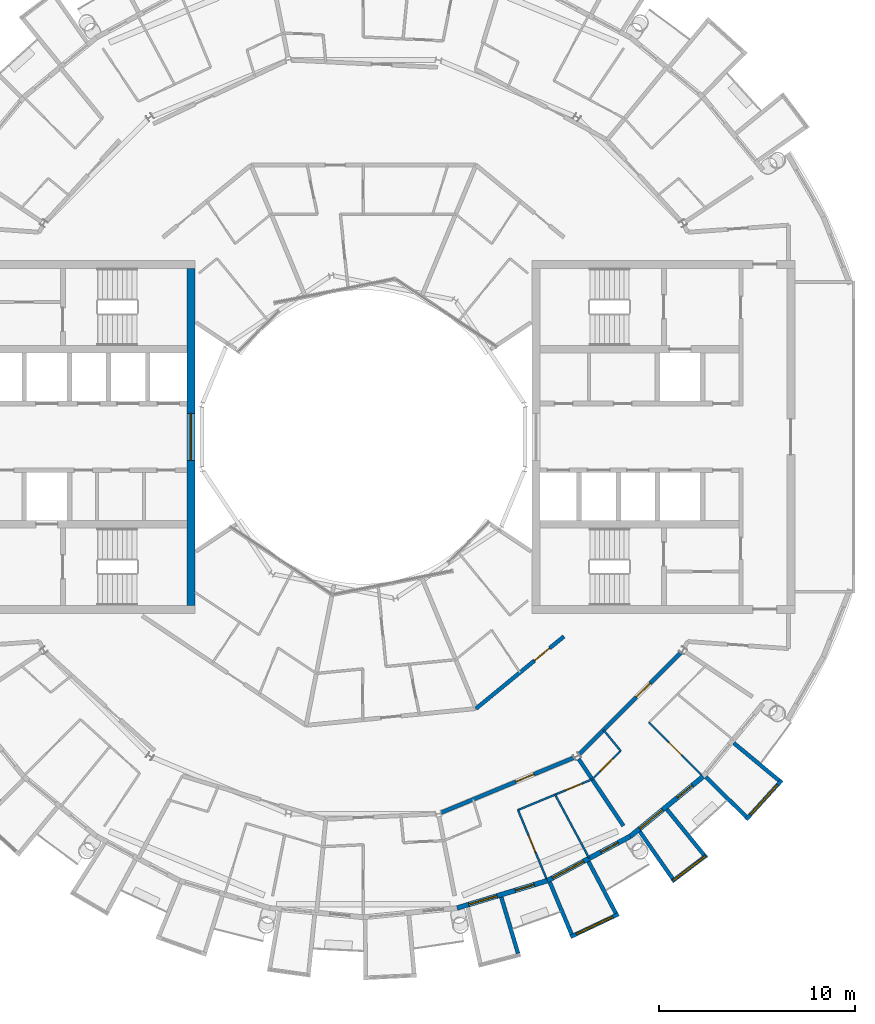
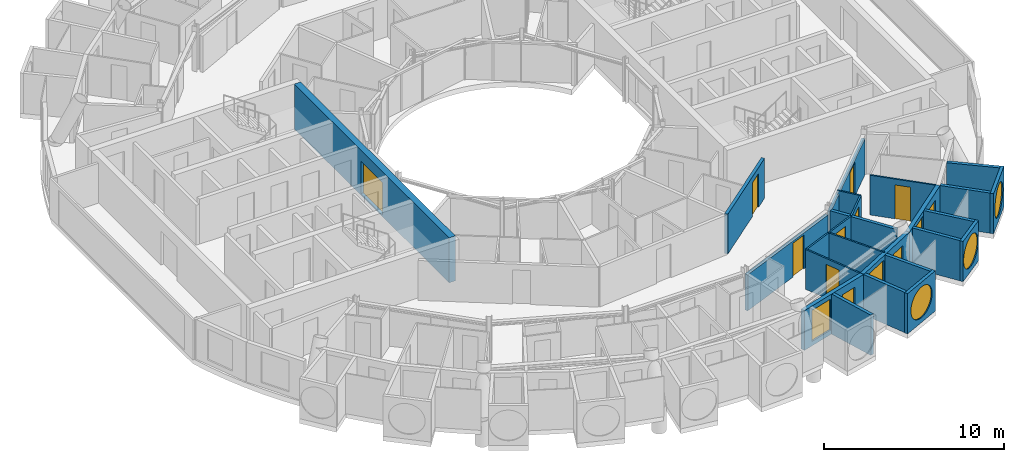
# One storey, part 17 of 27: 24 walls, 10 doors, 7 windows, 17 openings.
"""IFC4 building model written with IfcOpenShell, lengths in metres."""

from ifc_helpers import new_model, si_unit, direction, frame, frame_2d, origin, place, context, subcontext, project, spatial, rectangle, circle, extrude, material, layer, layer_set, type_object, element, fill, save


model = new_model("IFC4")

# Units and contexts
model_context = context("Model", 3, precision=1e-05, world=origin(), true_north=direction((0.0, 1.0)))
body_context = subcontext(model_context, "Body", "Model", "MODEL_VIEW")
ifc_project = project(units=[si_unit("LENGTHUNIT", "METRE"), si_unit("AREAUNIT", "SQUARE_METRE"), si_unit("VOLUMEUNIT", "CUBIC_METRE"), si_unit("PLANEANGLEUNIT", "RADIAN"), si_unit("MASSUNIT", "GRAM", prefix="KILO")], contexts=[model_context])

# Site, building, storey
site_placement = place(None, origin())
site = spatial("IfcSite", under=ifc_project, at=site_placement, CompositionType="ELEMENT")
building_placement = place(site_placement, origin())
building = spatial("IfcBuilding", under=site, at=building_placement, Name="Maasbend Ring Residences", CompositionType="ELEMENT")
storey_placement = place(building_placement, frame((0.0, 0.0, 243.199951171875)))
storey = spatial("IfcBuildingStorey", under=building, at=storey_placement, Name="L70", CompositionType="ELEMENT", Elevation=243.199951171875)

# Wall, opening, window
ifc_material_1 = material(Name="Concrete C50/60", Category="concrete")
ifc_layer_1 = layer(ifc_material_1, 0.39990234375)
ifc_layer_set_1 = layer_set([ifc_layer_1], Name="Concrete C50/60")
wall_type_1 = type_object("IfcWallType", Name="CORE WALL 400 C50/60", PredefinedType="SHEAR", material=ifc_layer_set_1)
wall_1_placement = place(storey_placement, frame((-8.800048828125, 8.60009765625, 0.0), z_axis=(0.0, 0.0, 1.0), x_axis=(0.0, -1.0, 0.0)))
wall_1 = element("IfcWall", 1, at=wall_1_placement, inside=storey, type_object=wall_type_1, Name="L70 core W wall PIN", PredefinedType="SHEAR", context=body_context, shape_type="SweptSolid", body=[
    extrude(rectangle(XDim=17.2001953125, YDim=0.39990234375, at=frame_2d((8.60009765625, 0.0))), origin(), (0.0, 0.0, 1.0), 3.050048828125),
])
opening_1_placement = place(wall_1_placement, frame((7.39990234375, 0.0, 0.10009765625)))
opening_1 = element("IfcOpeningElement", 2, at=opening_1_placement, cuts=wall_1, Name="Opening W-W7001", PredefinedType="OPENING", context=body_context, shape_type="SweptSolid", body=[
    extrude(rectangle(XDim=2.39990234375, YDim=2.199951171875, at=frame_2d((1.199951171875, 1.10009765625))), frame((0.0, 0.2099609375, 0.0), z_axis=(0.0, -1.0, 0.0), x_axis=(1.0, 0.0, 0.0)), (0.0, 0.0, 1.0), 0.419921875),
])
ifc_material_2 = material(Name="Aluminium frame and clear glass", Category="aluminium")
window_type_1 = type_object("IfcWindowType", Name="FIXED WINDOW 2400 X 2200", PartitioningType="SINGLE_PANEL", PredefinedType="WINDOW", material=ifc_material_2)
window_1_placement = place(opening_1_placement, origin())
window_1 = element("IfcWindow", 3, at=window_1_placement, inside=storey, type_object=window_type_1, Name="Lobby window L70", OverallHeight=2.199951171875, OverallWidth=2.39990234375, PartitioningType="SINGLE_PANEL", PredefinedType="WINDOW", context=body_context, shape_type="SweptSolid", body=[
    extrude(rectangle(XDim=2.39990234375, YDim=2.199951171875, at=frame_2d((1.199951171875, 1.10009765625))), frame((0.0, 0.030029296875, 0.0), z_axis=(0.0, -1.0, 0.0), x_axis=(1.0, 0.0, 0.0)), (0.0, 0.0, 1.0), 0.06005859375),
])
fill(opening_1, window_1)

# Wall, opening, door
ifc_material_3 = material(Name="Concrete C30/37", Category="concrete")
ifc_layer_2 = layer(ifc_material_3, 0.199951171875)
ifc_layer_set_2 = layer_set([ifc_layer_2], Name="Concrete C30/37")
wall_type_2 = type_object("IfcWallType", Name="CORRIDOR WALL 200 CONCRETE", PredefinedType="PARTITIONING", material=ifc_layer_set_2)
wall_2_placement = place(storey_placement, frame((3.965087890625, -19.1650390625, 0.0), z_axis=(0.0, 0.0, 1.0), x_axis=(0.923857139404, 0.382737489635, 0.0)))
wall_2 = element("IfcWall", 4, at=wall_2_placement, inside=storey, type_object=wall_type_2, Name="U-L70-w017", PredefinedType="PARTITIONING", context=body_context, shape_type="SweptSolid", body=[
    extrude(rectangle(XDim=7.342041015625, YDim=0.199951171875, at=frame_2d((3.6708984375, 0.0))), origin(), (0.0, 0.0, 1.0), 2.449951171875),
])
opening_2_placement = place(wall_2_placement, frame((4.1259765625, 0.0, 0.0)))
opening_2 = element("IfcOpeningElement", 5, at=opening_2_placement, cuts=wall_2, Name="Opening D-7044", PredefinedType="OPENING", context=body_context, shape_type="SweptSolid", body=[
    extrude(rectangle(XDim=1.0, YDim=2.300048828125, at=frame_2d((0.5, 1.14990234375))), frame((0.0, 0.10986328125, 0.0), z_axis=(0.0, -1.0, 0.0), x_axis=(1.0, 0.0, 0.0)), (0.0, 0.0, 1.0), 0.219970703125),
])
ifc_material_4 = material(Name="Timber, fire-rated, painted", Category="wood")
door_type_1 = type_object("IfcDoorType", Name="FLAT ENTRANCE DOOR 1000 X 2300 FIRE-RATED", OperationType="NOTDEFINED", PredefinedType="DOOR", material=ifc_material_4)
door_1_placement = place(opening_2_placement, origin())
door_1 = element("IfcDoor", 6, at=door_1_placement, inside=storey, type_object=door_type_1, Name="D-7044", OperationType="SINGLE_SWING_RIGHT", OverallHeight=2.300048828125, OverallWidth=1.0, PredefinedType="DOOR", context=body_context, shape_type="SweptSolid", body=[
    extrude(rectangle(XDim=1.0, YDim=2.300048828125, at=frame_2d((0.5, 1.14990234375))), frame((0.0, 0.02490234375, 0.0), z_axis=(0.0, -1.0, 0.0), x_axis=(1.0, 0.0, 0.0)), (0.0, 0.0, 1.0), 0.050048828125),
])
fill(opening_2, door_1)

wall_3_placement = place(storey_placement, frame((10.9970703125, -16.18896484375, 0.0), z_axis=(0.0, 0.0, 1.0), x_axis=(0.707106781187, 0.707106781187, 0.0)))
wall_3 = element("IfcWall", 7, at=wall_3_placement, inside=storey, type_object=wall_type_2, Name="U-L70-w018", PredefinedType="PARTITIONING", context=body_context, shape_type="SweptSolid", body=[
    extrude(rectangle(XDim=7.342529296875, YDim=0.199951171875, at=frame_2d((3.67138671875, 0.0))), origin(), (0.0, 0.0, 1.0), 2.449951171875),
])
opening_3_placement = place(wall_3_placement, frame((4.126953125, 0.0, 0.0)))
opening_3 = element("IfcOpeningElement", 8, at=opening_3_placement, cuts=wall_3, Name="Opening D-7048", PredefinedType="OPENING", context=body_context, shape_type="SweptSolid", body=[
    extrude(rectangle(XDim=1.0, YDim=2.300048828125, at=frame_2d((0.5, 1.14990234375))), frame((0.0, 0.10986328125, 0.0), z_axis=(0.0, -1.0, 0.0), x_axis=(1.0, 0.0, 0.0)), (0.0, 0.0, 1.0), 0.219970703125),
])
door_2_placement = place(opening_3_placement, origin())
door_2 = element("IfcDoor", 9, at=door_2_placement, inside=storey, type_object=door_type_1, Name="D-7048", OperationType="SINGLE_SWING_RIGHT", OverallHeight=2.300048828125, OverallWidth=1.0, PredefinedType="DOOR", context=body_context, shape_type="SweptSolid", body=[
    extrude(rectangle(XDim=1.0, YDim=2.300048828125, at=frame_2d((0.5, 1.14990234375))), frame((0.0, 0.02490234375, 0.0), z_axis=(0.0, -1.0, 0.0), x_axis=(1.0, 0.0, 0.0)), (0.0, 0.0, 1.0), 0.050048828125),
])
fill(opening_3, door_2)

wall_4_placement = place(storey_placement, frame((5.739990234375, -13.85791015625, 0.0), z_axis=(0.0, 0.0, 1.0), x_axis=(0.773071783484, 0.634318545828, 0.0)))
wall_4 = element("IfcWall", 10, at=wall_4_placement, inside=storey, type_object=wall_type_2, Name="U-L70-w021", PredefinedType="PARTITIONING", context=body_context, shape_type="SweptSolid", body=[
    extrude(rectangle(XDim=5.802978515625, YDim=0.199951171875, at=frame_2d((2.9013671875, 0.0))), origin(), (0.0, 0.0, 1.0), 2.699951171875),
])
opening_4_placement = place(wall_4_placement, frame((3.85400390625, 0.0, 0.0)))
opening_4 = element("IfcOpeningElement", 11, at=opening_4_placement, cuts=wall_4, Name="Opening D-7060", PredefinedType="OPENING", context=body_context, shape_type="SweptSolid", body=[
    extrude(rectangle(XDim=1.0, YDim=2.300048828125, at=frame_2d((0.5, 1.14990234375))), frame((0.0, 0.10986328125, 0.0), z_axis=(0.0, -1.0, 0.0), x_axis=(1.0, 0.0, 0.0)), (0.0, 0.0, 1.0), 0.219970703125),
])
door_3_placement = place(opening_4_placement, origin())
door_3 = element("IfcDoor", 12, at=door_3_placement, inside=storey, type_object=door_type_1, Name="D-7060", OperationType="SINGLE_SWING_RIGHT", OverallHeight=2.300048828125, OverallWidth=1.0, PredefinedType="DOOR", context=body_context, shape_type="SweptSolid", body=[
    extrude(rectangle(XDim=1.0, YDim=2.300048828125, at=frame_2d((0.5, 1.14990234375))), frame((0.0, 0.02490234375, 0.0), z_axis=(0.0, -1.0, 0.0), x_axis=(1.0, 0.0, 0.0)), (0.0, 0.0, 1.0), 0.050048828125),
])
fill(opening_4, door_3)

# Wall
ifc_material_5 = material(Name="Pale anodised aluminium panel", Category="aluminium")
ifc_layer_3 = layer(ifc_material_5, 0.199951171875)
ifc_layer_set_3 = layer_set([ifc_layer_3], Name="EW-BOX")
wall_type_3 = type_object("IfcWallType", Name="EW-BOX", PredefinedType="SOLIDWALL", material=ifc_layer_set_3)
wall_5_placement = place(storey_placement, frame((7.029052734375, -23.47705078125, -0.030029296875), z_axis=(0.0, 0.0, 1.0), x_axis=(0.286681681931, -0.958025893828, 0.0)))
element("IfcWall", 13, at=wall_5_placement, inside=storey, type_object=wall_type_3, Name="Box side wall S13 right", PredefinedType="SOLIDWALL", context=body_context, shape_type="SweptSolid", body=[
    extrude(rectangle(XDim=2.992431640625, YDim=0.199951171875, at=frame_2d((1.49609375, 0.0))), origin(), (0.0, 0.0, 1.0), 2.72998046875),
])

# Wall, opening, window
wall_6_placement = place(storey_placement, frame((10.55810546875, -25.5009765625, -0.030029296875), z_axis=(0.0, 0.0, 1.0), x_axis=(0.904004727627, 0.42752245839, 0.0)))
wall_6 = element("IfcWall", 14, at=wall_6_placement, inside=storey, type_object=wall_type_3, Name="Box front S15", PredefinedType="SOLIDWALL", context=body_context, shape_type="SweptSolid", body=[
    extrude(rectangle(XDim=2.7177734375, YDim=0.199951171875, at=frame_2d((1.35888671875, 0.0))), origin(), (0.0, 0.0, 1.0), 2.72998046875),
])
opening_5_placement = place(wall_6_placement, frame((0.319091796875, 0.0, 0.330078125)))
opening_5 = element("IfcOpeningElement", 15, at=opening_5_placement, cuts=wall_6, Name="Opening W-RD", PredefinedType="OPENING", context=body_context, shape_type="SweptSolid", body=[
    extrude(circle(Radius=1.0400390625, at=frame_2d((1.0400390625, 1.0400390625))), frame((0.0, 0.10986328125, 0.0), z_axis=(0.0, -1.0, 0.0), x_axis=(1.0, 0.0, 0.0)), (0.0, 0.0, 1.0), 0.219970703125),
])
ifc_material_6 = material(Name="Aluminium and clear glass", Category="aluminium")
window_type_2 = type_object("IfcWindowType", Name="W-RD", PartitioningType="SINGLE_PANEL", PredefinedType="WINDOW", material=ifc_material_6)
window_2_placement = place(opening_5_placement, origin())
window_2 = element("IfcWindow", 16, at=window_2_placement, inside=storey, type_object=window_type_2, Name="Round window S15", OverallHeight=2.080078125, OverallWidth=2.080078125, PartitioningType="SINGLE_PANEL", PredefinedType="WINDOW", context=body_context, shape_type="SweptSolid", body=[
    extrude(circle(Radius=1.0400390625, at=frame_2d((1.0400390625, 1.0400390625))), frame((0.0, 0.030029296875, 0.0), z_axis=(0.0, -1.0, 0.0), x_axis=(1.0, 0.0, 0.0)), (0.0, 0.0, 1.0), 0.06005859375),
])
fill(opening_5, window_2)

# Walls
wall_7_placement = place(storey_placement, frame((9.5029296875, -22.708984375, -0.030029296875), z_axis=(0.0, 0.0, 1.0), x_axis=(0.386136412103, -0.922441689891, 0.0)))
element("IfcWall", 17, at=wall_7_placement, inside=storey, type_object=wall_type_3, Name="Box side wall S15 left", PredefinedType="SOLIDWALL", context=body_context, shape_type="SweptSolid", body=[
    extrude(rectangle(XDim=2.882568359375, YDim=0.199951171875, at=frame_2d((1.44140625, 0.0))), origin(), (0.0, 0.0, 1.0), 2.72998046875),
])
wall_8_placement = place(storey_placement, frame((11.47509765625, -21.655029296875, -0.030029296875), z_axis=(0.0, 0.0, 1.0), x_axis=(0.467917715158, -0.883772036128, 0.0)))
element("IfcWall", 18, at=wall_8_placement, inside=storey, type_object=wall_type_3, Name="Box side wall S15 right", PredefinedType="SOLIDWALL", context=body_context, shape_type="SweptSolid", body=[
    extrude(rectangle(XDim=2.99169921875, YDim=0.199951171875, at=frame_2d((1.495849609375, 0.0))), origin(), (0.0, 0.0, 1.0), 2.72998046875),
])

# Wall, opening, window
wall_9_placement = place(storey_placement, frame((15.739990234375, -22.672119140625, -0.030029296875), z_axis=(0.0, 0.0, 1.0), x_axis=(0.797805050803, 0.602915500641, 0.0)))
wall_9 = element("IfcWall", 19, at=wall_9_placement, inside=storey, type_object=wall_type_3, Name="Box front S17", PredefinedType="SOLIDWALL", context=body_context, shape_type="SweptSolid", body=[
    extrude(rectangle(XDim=2.220947265625, YDim=0.199951171875, at=frame_2d((1.1103515625, 0.0))), origin(), (0.0, 0.0, 1.0), 2.72998046875),
])
opening_6_placement = place(wall_9_placement, frame((0.070556640625, 0.0, 0.330078125)))
opening_6 = element("IfcOpeningElement", 20, at=opening_6_placement, cuts=wall_9, Name="Opening W-RD", PredefinedType="OPENING", context=body_context, shape_type="SweptSolid", body=[
    extrude(circle(Radius=1.0400390625, at=frame_2d((1.0400390625, 1.0400390625))), frame((0.0, 0.10986328125, 0.0), z_axis=(0.0, -1.0, 0.0), x_axis=(1.0, 0.0, 0.0)), (0.0, 0.0, 1.0), 0.219970703125),
])
window_3_placement = place(opening_6_placement, origin())
window_3 = element("IfcWindow", 21, at=window_3_placement, inside=storey, type_object=window_type_2, Name="Round window S17", OverallHeight=2.080078125, OverallWidth=2.080078125, PartitioningType="SINGLE_PANEL", PredefinedType="WINDOW", context=body_context, shape_type="SweptSolid", body=[
    extrude(circle(Radius=1.0400390625, at=frame_2d((1.0400390625, 1.0400390625))), frame((0.0, 0.030029296875, 0.0), z_axis=(0.0, -1.0, 0.0), x_axis=(1.0, 0.0, 0.0)), (0.0, 0.0, 1.0), 0.06005859375),
])
fill(opening_6, window_3)

# Walls
wall_10_placement = place(storey_placement, frame((14.093017578125, -20.137939453125, -0.030029296875), z_axis=(0.0, 0.0, 1.0), x_axis=(0.573596998419, -0.81913764619, 0.0)))
element("IfcWall", 22, at=wall_10_placement, inside=storey, type_object=wall_type_3, Name="Box side wall S17 left", PredefinedType="SOLIDWALL", context=body_context, shape_type="SweptSolid", body=[
    extrude(rectangle(XDim=2.920166015625, YDim=0.199951171875, at=frame_2d((1.4599609375, 0.0))), origin(), (0.0, 0.0, 1.0), 2.72998046875),
])
wall_11_placement = place(storey_placement, frame((15.47900390625, -19.0, -0.030029296875), z_axis=(0.0, 0.0, 1.0), x_axis=(0.631209771017, -0.775612161439, 0.0)))
element("IfcWall", 23, at=wall_11_placement, inside=storey, type_object=wall_type_3, Name="Box side wall S17 right", PredefinedType="SOLIDWALL", context=body_context, shape_type="SweptSolid", body=[
    extrude(rectangle(XDim=2.992431640625, YDim=0.199951171875, at=frame_2d((1.49609375, 0.0))), origin(), (0.0, 0.0, 1.0), 2.72998046875),
])

# Wall, opening, window
wall_12_placement = place(storey_placement, frame((19.512939453125, -19.52001953125, -0.030029296875), z_axis=(0.0, 0.0, 1.0), x_axis=(0.671487056022, 0.741016284298, 0.0)))
wall_12 = element("IfcWall", 24, at=wall_12_placement, inside=storey, type_object=wall_type_3, Name="Box front S19", PredefinedType="SOLIDWALL", context=body_context, shape_type="SweptSolid", body=[
    extrude(rectangle(XDim=2.7177734375, YDim=0.199951171875, at=frame_2d((1.35888671875, 0.0))), origin(), (0.0, 0.0, 1.0), 2.72998046875),
])
opening_7_placement = place(wall_12_placement, frame((0.319091796875, 0.0, 0.330078125)))
opening_7 = element("IfcOpeningElement", 25, at=opening_7_placement, cuts=wall_12, Name="Opening W-RD", PredefinedType="OPENING", context=body_context, shape_type="SweptSolid", body=[
    extrude(circle(Radius=1.0400390625, at=frame_2d((1.0400390625, 1.0400390625))), frame((0.0, 0.10986328125, 0.0), z_axis=(0.0, -1.0, 0.0), x_axis=(1.0, 0.0, 0.0)), (0.0, 0.0, 1.0), 0.219970703125),
])
window_4_placement = place(opening_7_placement, origin())
window_4 = element("IfcWindow", 26, at=window_4_placement, inside=storey, type_object=window_type_2, Name="Round window S19", OverallHeight=2.080078125, OverallWidth=2.080078125, PartitioningType="SINGLE_PANEL", PredefinedType="WINDOW", context=body_context, shape_type="SweptSolid", body=[
    extrude(circle(Radius=1.0400390625, at=frame_2d((1.0400390625, 1.0400390625))), frame((0.0, 0.030029296875, 0.0), z_axis=(0.0, -1.0, 0.0), x_axis=(1.0, 0.0, 0.0)), (0.0, 0.0, 1.0), 0.06005859375),
])
fill(opening_7, window_4)

# Walls
wall_13_placement = place(storey_placement, frame((17.469970703125, -17.343994140625, -0.030029296875), z_axis=(0.0, 0.0, 1.0), x_axis=(0.709896457854, -0.704306055012, 0.0)))
element("IfcWall", 27, at=wall_13_placement, inside=storey, type_object=wall_type_3, Name="Box side wall S19 left", PredefinedType="SOLIDWALL", context=body_context, shape_type="SweptSolid", body=[
    extrude(rectangle(XDim=2.88232421875, YDim=0.199951171875, at=frame_2d((1.441162109375, 0.0))), origin(), (0.0, 0.0, 1.0), 2.72998046875),
])
wall_14_placement = place(storey_placement, frame((18.887939453125, -15.614990234375, -0.030029296875), z_axis=(0.0, 0.0, 1.0), x_axis=(0.770489638069, -0.637452521862, 0.0)))
element("IfcWall", 28, at=wall_14_placement, inside=storey, type_object=wall_type_3, Name="Box side wall S19 right", PredefinedType="SOLIDWALL", context=body_context, shape_type="SweptSolid", body=[
    extrude(rectangle(XDim=2.9931640625, YDim=0.199951171875, at=frame_2d((1.49658203125, 0.0))), origin(), (0.0, 0.0, 1.0), 2.72998046875),
])

# Wall, openings, door, window
ifc_material_7 = material(Name="Aluminium clad insulated panel", Category="aluminium")
ifc_layer_4 = layer(ifc_material_7, 0.25)
ifc_layer_set_4 = layer_set([ifc_layer_4], Name="EW-GL")
wall_type_4 = type_object("IfcWallType", Name="EW-GL", PredefinedType="SOLIDWALL", material=ifc_layer_set_4)
wall_15_placement = place(storey_placement, frame((4.780029296875, -24.029052734375, 0.0), z_axis=(0.0, 0.0, 1.0), x_axis=(0.956947414517, 0.290261340605, 0.0)))
wall_15 = element("IfcWall", 29, at=wall_15_placement, inside=storey, type_object=wall_type_4, Name="External wall S07", PredefinedType="SOLIDWALL", context=body_context, shape_type="SweptSolid", body=[
    extrude(rectangle(XDim=4.802734375, YDim=0.25, at=frame_2d((2.4013671875, 0.0))), origin(), (0.0, 0.0, 1.0), 2.699951171875),
])
opening_8_placement = place(wall_15_placement, frame((0.6201171875, 0.0, 0.300048828125)))
opening_8 = element("IfcOpeningElement", 30, at=opening_8_placement, cuts=wall_15, Name="Opening W-BN", PredefinedType="OPENING", context=body_context, shape_type="SweptSolid", body=[
    extrude(rectangle(XDim=1.5, YDim=2.10009765625, at=frame_2d((0.75, 1.050048828125))), frame((0.0, 0.135009765625, 0.0), z_axis=(0.0, -1.0, 0.0), x_axis=(1.0, 0.0, 0.0)), (0.0, 0.0, 1.0), 0.27001953125),
])
opening_9_placement = place(wall_15_placement, frame((3.09912109375, 0.0, 0.0)))
opening_9 = element("IfcOpeningElement", 31, at=opening_9_placement, cuts=wall_15, Name="Opening D-LG", PredefinedType="OPENING", context=body_context, shape_type="SweptSolid", body=[
    extrude(rectangle(XDim=1.0, YDim=2.199951171875, at=frame_2d((0.5, 1.10009765625))), frame((0.0, 0.135009765625, 0.0), z_axis=(0.0, -1.0, 0.0), x_axis=(1.0, 0.0, 0.0)), (0.0, 0.0, 1.0), 0.27001953125),
])
ifc_material_8 = material(Name="Aluminium and clear glass", Category="aluminium")
door_type_2 = type_object("IfcDoorType", Name="D-LG", OperationType="SINGLE_SWING_LEFT", PredefinedType="DOOR", material=ifc_material_8)
door_4_placement = place(opening_9_placement, origin())
door_4 = element("IfcDoor", 32, at=door_4_placement, inside=storey, type_object=door_type_2, Name="Loggia door S14", OperationType="SINGLE_SWING_LEFT", OverallHeight=2.199951171875, OverallWidth=1.0, PredefinedType="DOOR", context=body_context, shape_type="SweptSolid", body=[
    extrude(rectangle(XDim=1.0, YDim=2.199951171875, at=frame_2d((0.5, 1.10009765625))), frame((0.0, 0.02490234375, 0.0), z_axis=(0.0, -1.0, 0.0), x_axis=(1.0, 0.0, 0.0)), (0.0, 0.0, 1.0), 0.050048828125),
])
fill(opening_9, door_4)
ifc_material_9 = material(Name="Aluminium and clear glass", Category="aluminium")
window_type_3 = type_object("IfcWindowType", Name="W-BN", PartitioningType="SINGLE_PANEL", PredefinedType="WINDOW", material=ifc_material_9)
window_5_placement = place(opening_8_placement, origin())
window_5 = element("IfcWindow", 33, at=window_5_placement, inside=storey, type_object=window_type_3, Name="Window S13 room to box", OverallHeight=2.10009765625, OverallWidth=1.5, PartitioningType="SINGLE_PANEL", PredefinedType="WINDOW", context=body_context, shape_type="SweptSolid", body=[
    extrude(rectangle(XDim=1.5, YDim=2.10009765625, at=frame_2d((0.75, 1.050048828125))), frame((0.0, 0.030029296875, 0.0), z_axis=(0.0, -1.0, 0.0), x_axis=(1.0, 0.0, 0.0)), (0.0, 0.0, 1.0), 0.06005859375),
])
fill(opening_8, window_5)

wall_16_placement = place(storey_placement, frame((9.3759765625, -22.635009765625, 0.0), z_axis=(0.0, 0.0, 1.0), x_axis=(0.881903608701, 0.471429766731, 0.0)))
wall_16 = element("IfcWall", 34, at=wall_16_placement, inside=storey, type_object=wall_type_4, Name="External wall S08", PredefinedType="SOLIDWALL", context=body_context, shape_type="SweptSolid", body=[
    extrude(rectangle(XDim=4.80224609375, YDim=0.25, at=frame_2d((2.401123046875, 0.0))), origin(), (0.0, 0.0, 1.0), 2.699951171875),
])
opening_10_placement = place(wall_16_placement, frame((0.3037109375, 0.0, 0.300048828125)))
opening_10 = element("IfcOpeningElement", 35, at=opening_10_placement, cuts=wall_16, Name="Opening W-BX", PredefinedType="OPENING", context=body_context, shape_type="SweptSolid", body=[
    extrude(rectangle(XDim=1.800048828125, YDim=2.10009765625, at=frame_2d((0.89990234375, 1.050048828125))), frame((0.0, 0.135009765625, 0.0), z_axis=(0.0, -1.0, 0.0), x_axis=(1.0, 0.0, 0.0)), (0.0, 0.0, 1.0), 0.27001953125),
])
opening_11_placement = place(wall_16_placement, frame((3.09912109375, 0.0, 0.0)))
opening_11 = element("IfcOpeningElement", 36, at=opening_11_placement, cuts=wall_16, Name="Opening D-LG", PredefinedType="OPENING", context=body_context, shape_type="SweptSolid", body=[
    extrude(rectangle(XDim=1.0, YDim=2.199951171875, at=frame_2d((0.5, 1.10009765625))), frame((0.0, 0.135009765625, 0.0), z_axis=(0.0, -1.0, 0.0), x_axis=(1.0, 0.0, 0.0)), (0.0, 0.0, 1.0), 0.27001953125),
])
door_5_placement = place(opening_11_placement, origin())
door_5 = element("IfcDoor", 37, at=door_5_placement, inside=storey, type_object=door_type_2, Name="Loggia door S16", OperationType="SINGLE_SWING_LEFT", OverallHeight=2.199951171875, OverallWidth=1.0, PredefinedType="DOOR", context=body_context, shape_type="SweptSolid", body=[
    extrude(rectangle(XDim=1.0, YDim=2.199951171875, at=frame_2d((0.5, 1.10009765625))), frame((0.0, 0.02490234375, 0.0), z_axis=(0.0, -1.0, 0.0), x_axis=(1.0, 0.0, 0.0)), (0.0, 0.0, 1.0), 0.050048828125),
])
fill(opening_11, door_5)
ifc_material_10 = material(Name="Aluminium and clear glass", Category="aluminium")
window_type_4 = type_object("IfcWindowType", Name="W-BX", PartitioningType="DOUBLE_PANEL_VERTICAL", PredefinedType="WINDOW", material=ifc_material_10)
window_6_placement = place(opening_10_placement, origin())
window_6 = element("IfcWindow", 38, at=window_6_placement, inside=storey, type_object=window_type_4, Name="Window S15 room to box", OverallHeight=2.10009765625, OverallWidth=1.800048828125, PartitioningType="SINGLE_PANEL", PredefinedType="WINDOW", context=body_context, shape_type="SweptSolid", body=[
    extrude(rectangle(XDim=1.800048828125, YDim=2.10009765625, at=frame_2d((0.89990234375, 1.050048828125))), frame((0.0, 0.030029296875, 0.0), z_axis=(0.0, -1.0, 0.0), x_axis=(1.0, 0.0, 0.0)), (0.0, 0.0, 1.0), 0.06005859375),
])
fill(opening_10, window_6)

wall_17_placement = place(storey_placement, frame((13.611083984375, -20.37109375, 0.0), z_axis=(0.0, 0.0, 1.0), x_axis=(0.773007538262, 0.634396836208, 0.0)))
wall_17 = element("IfcWall", 39, at=wall_17_placement, inside=storey, type_object=wall_type_4, Name="External wall S09", PredefinedType="SOLIDWALL", context=body_context, shape_type="SweptSolid", body=[
    extrude(rectangle(XDim=4.80322265625, YDim=0.25, at=frame_2d((2.401611328125, 0.0))), origin(), (0.0, 0.0, 1.0), 2.699951171875),
])
opening_12_placement = place(wall_17_placement, frame((0.6201171875, 0.0, 0.300048828125)))
opening_12 = element("IfcOpeningElement", 40, at=opening_12_placement, cuts=wall_17, Name="Opening W-BN", PredefinedType="OPENING", context=body_context, shape_type="SweptSolid", body=[
    extrude(rectangle(XDim=1.5, YDim=2.10009765625, at=frame_2d((0.75, 1.050048828125))), frame((0.0, 0.135009765625, 0.0), z_axis=(0.0, -1.0, 0.0), x_axis=(1.0, 0.0, 0.0)), (0.0, 0.0, 1.0), 0.27001953125),
])
opening_13_placement = place(wall_17_placement, frame((3.09912109375, 0.0, 0.0)))
opening_13 = element("IfcOpeningElement", 41, at=opening_13_placement, cuts=wall_17, Name="Opening D-LG", PredefinedType="OPENING", context=body_context, shape_type="SweptSolid", body=[
    extrude(rectangle(XDim=1.0, YDim=2.199951171875, at=frame_2d((0.5, 1.10009765625))), frame((0.0, 0.135009765625, 0.0), z_axis=(0.0, -1.0, 0.0), x_axis=(1.0, 0.0, 0.0)), (0.0, 0.0, 1.0), 0.27001953125),
])
door_6_placement = place(opening_13_placement, origin())
door_6 = element("IfcDoor", 42, at=door_6_placement, inside=storey, type_object=door_type_2, Name="Loggia door S18", OperationType="SINGLE_SWING_LEFT", OverallHeight=2.199951171875, OverallWidth=1.0, PredefinedType="DOOR", context=body_context, shape_type="SweptSolid", body=[
    extrude(rectangle(XDim=1.0, YDim=2.199951171875, at=frame_2d((0.5, 1.10009765625))), frame((0.0, 0.02490234375, 0.0), z_axis=(0.0, -1.0, 0.0), x_axis=(1.0, 0.0, 0.0)), (0.0, 0.0, 1.0), 0.050048828125),
])
fill(opening_13, door_6)
window_7_placement = place(opening_12_placement, origin())
window_7 = element("IfcWindow", 43, at=window_7_placement, inside=storey, type_object=window_type_3, Name="Window S17 room to box", OverallHeight=2.10009765625, OverallWidth=1.5, PartitioningType="SINGLE_PANEL", PredefinedType="WINDOW", context=body_context, shape_type="SweptSolid", body=[
    extrude(rectangle(XDim=1.5, YDim=2.10009765625, at=frame_2d((0.75, 1.050048828125))), frame((0.0, 0.030029296875, 0.0), z_axis=(0.0, -1.0, 0.0), x_axis=(1.0, 0.0, 0.0)), (0.0, 0.0, 1.0), 0.06005859375),
])
fill(opening_12, window_7)

# Wall, opening, door
ifc_material_11 = material(Name="Gypsum board on steel studs", Category="steel")
ifc_layer_5 = layer(ifc_material_11, 0.10009765625)
ifc_layer_set_5 = layer_set([ifc_layer_5], Name="PARTITION 100 GYPSUM")
wall_type_5 = type_object("IfcWallType", Name="PARTITION 100 GYPSUM", PredefinedType="PARTITIONING", material=ifc_layer_set_5)
wall_18_placement = place(storey_placement, frame((7.8740234375, -19.032958984375, 0.0), z_axis=(0.0, 0.0, 1.0), x_axis=(0.924018283069, 0.382348286976, 0.0)))
wall_18 = element("IfcWall", 44, at=wall_18_placement, inside=storey, type_object=wall_type_5, Name="U-L70-w008", PredefinedType="PARTITIONING", context=body_context, shape_type="SweptSolid", body=[
    extrude(rectangle(XDim=4.1005859375, YDim=0.10009765625, at=frame_2d((2.05029296875, 0.0))), origin(), (0.0, 0.0, 1.0), 2.699951171875),
])
opening_14_placement = place(wall_18_placement, frame((2.632080078125, 0.0, 0.0)))
opening_14 = element("IfcOpeningElement", 45, at=opening_14_placement, cuts=wall_18, Name="Opening D-7047", PredefinedType="OPENING", context=body_context, shape_type="SweptSolid", body=[
    extrude(rectangle(XDim=0.89990234375, YDim=2.300048828125, at=frame_2d((0.449951171875, 1.14990234375))), frame((0.0, 0.06005859375, 0.0), z_axis=(0.0, -1.0, 0.0), x_axis=(1.0, 0.0, 0.0)), (0.0, 0.0, 1.0), 0.1201171875),
])
ifc_material_12 = material(Name="Timber, painted", Category="wood")
door_type_3 = type_object("IfcDoorType", Name="INTERNAL DOOR 900 X 2300", OperationType="NOTDEFINED", PredefinedType="DOOR", material=ifc_material_12)
door_7_placement = place(opening_14_placement, origin())
door_7 = element("IfcDoor", 46, at=door_7_placement, inside=storey, type_object=door_type_3, Name="D-7047", OperationType="SINGLE_SWING_RIGHT", OverallHeight=2.300048828125, OverallWidth=0.89990234375, PredefinedType="DOOR", context=body_context, shape_type="SweptSolid", body=[
    extrude(rectangle(XDim=0.89990234375, YDim=2.300048828125, at=frame_2d((0.449951171875, 1.14990234375))), frame((0.0, 0.02490234375, 0.0), z_axis=(0.0, -1.0, 0.0), x_axis=(1.0, 0.0, 0.0)), (0.0, 0.0, 1.0), 0.050048828125),
])
fill(opening_14, door_7)

wall_19_placement = place(storey_placement, frame((11.662109375, -17.466064453125, 0.0), z_axis=(0.0, 0.0, 1.0), x_axis=(0.707106781187, 0.707106781187, 0.0)))
wall_19 = element("IfcWall", 47, at=wall_19_placement, inside=storey, type_object=wall_type_5, Name="U-L70-w009", PredefinedType="PARTITIONING", context=body_context, shape_type="SweptSolid", body=[
    extrude(rectangle(XDim=2.0478515625, YDim=0.10009765625, at=frame_2d((1.02392578125, 0.0))), origin(), (0.0, 0.0, 1.0), 2.699951171875),
])
opening_15_placement = place(wall_19_placement, frame((0.5810546875, 0.0, 0.0)))
opening_15 = element("IfcOpeningElement", 48, at=opening_15_placement, cuts=wall_19, Name="Opening D-7049", PredefinedType="OPENING", context=body_context, shape_type="SweptSolid", body=[
    extrude(rectangle(XDim=0.89990234375, YDim=2.300048828125, at=frame_2d((0.449951171875, 1.14990234375))), frame((0.0, 0.06005859375, 0.0), z_axis=(0.0, -1.0, 0.0), x_axis=(1.0, 0.0, 0.0)), (0.0, 0.0, 1.0), 0.1201171875),
])
door_8_placement = place(opening_15_placement, origin())
door_8 = element("IfcDoor", 49, at=door_8_placement, inside=storey, type_object=door_type_3, Name="D-7049", OperationType="SINGLE_SWING_RIGHT", OverallHeight=2.300048828125, OverallWidth=0.89990234375, PredefinedType="DOOR", context=body_context, shape_type="SweptSolid", body=[
    extrude(rectangle(XDim=0.89990234375, YDim=2.300048828125, at=frame_2d((0.449951171875, 1.14990234375))), frame((0.0, 0.02490234375, 0.0), z_axis=(0.0, -1.0, 0.0), x_axis=(1.0, 0.0, 0.0)), (0.0, 0.0, 1.0), 0.050048828125),
])
fill(opening_15, door_8)

wall_20_placement = place(storey_placement, frame((7.882080078125, -19.029052734375, 0.0), z_axis=(0.0, 0.0, 1.0), x_axis=(0.382637120452, -0.923898714174, 0.0)))
wall_20 = element("IfcWall", 50, at=wall_20_placement, inside=storey, type_object=wall_type_5, Name="U-L70-w080", PredefinedType="PARTITIONING", context=body_context, shape_type="SweptSolid", body=[
    extrude(rectangle(XDim=3.778564453125, YDim=0.10009765625, at=frame_2d((1.88916015625, 0.0))), origin(), (0.0, 0.0, 1.0), 2.699951171875),
])
opening_16_placement = place(wall_20_placement, frame((1.43896484375, 0.0, 0.0)))
opening_16 = element("IfcOpeningElement", 51, at=opening_16_placement, cuts=wall_20, Name="Opening D-7046", PredefinedType="OPENING", context=body_context, shape_type="SweptSolid", body=[
    extrude(rectangle(XDim=0.89990234375, YDim=2.300048828125, at=frame_2d((0.449951171875, 1.14990234375))), frame((0.0, 0.06005859375, 0.0), z_axis=(0.0, -1.0, 0.0), x_axis=(1.0, 0.0, 0.0)), (0.0, 0.0, 1.0), 0.1201171875),
])
door_9_placement = place(opening_16_placement, origin())
door_9 = element("IfcDoor", 52, at=door_9_placement, inside=storey, type_object=door_type_3, Name="D-7046", OperationType="SINGLE_SWING_RIGHT", OverallHeight=2.300048828125, OverallWidth=0.89990234375, PredefinedType="DOOR", context=body_context, shape_type="SweptSolid", body=[
    extrude(rectangle(XDim=0.89990234375, YDim=2.300048828125, at=frame_2d((0.449951171875, 1.14990234375))), frame((0.0, 0.02490234375, 0.0), z_axis=(0.0, -1.0, 0.0), x_axis=(1.0, 0.0, 0.0)), (0.0, 0.0, 1.0), 0.050048828125),
])
fill(opening_16, door_9)

# Walls
wall_21_placement = place(storey_placement, frame((9.77392578125, -18.2451171875, 0.0), z_axis=(0.0, 0.0, 1.0), x_axis=(0.47239643711, -0.881386184488, 0.0)))
element("IfcWall", 53, at=wall_21_placement, inside=storey, type_object=wall_type_5, Name="U-L70-w082", PredefinedType="PARTITIONING", context=body_context, shape_type="SweptSolid", body=[
    extrude(rectangle(XDim=3.67724609375, YDim=0.10009765625, at=frame_2d((1.838623046875, 0.0))), origin(), (0.0, 0.0, 1.0), 2.699951171875),
])
wall_22_placement = place(storey_placement, frame((12.240966796875, -14.945068359375, 0.0), z_axis=(0.0, 0.0, 1.0), x_axis=(0.633719643525, -0.773562805085, 0.0)))
element("IfcWall", 54, at=wall_22_placement, inside=storey, type_object=wall_type_5, Name="U-L70-w085", PredefinedType="PARTITIONING", context=body_context, shape_type="SweptSolid", body=[
    extrude(rectangle(XDim=1.379150390625, YDim=0.10009765625, at=frame_2d((0.689453125, 0.0))), origin(), (0.0, 0.0, 1.0), 2.699951171875),
])

# Wall, opening, door
wall_23_placement = place(storey_placement, frame((14.56396484375, -14.56396484375, 0.0), z_axis=(0.0, 0.0, 1.0), x_axis=(0.707106781187, -0.707106781187, 0.0)))
wall_23 = element("IfcWall", 55, at=wall_23_placement, inside=storey, type_object=wall_type_5, Name="U-L70-w087", PredefinedType="PARTITIONING", context=body_context, shape_type="SweptSolid", body=[
    extrude(rectangle(XDim=3.779052734375, YDim=0.10009765625, at=frame_2d((1.8896484375, 0.0))), origin(), (0.0, 0.0, 1.0), 2.699951171875),
])
opening_17_placement = place(wall_23_placement, frame((1.43896484375, 0.0, 0.0)))
opening_17 = element("IfcOpeningElement", 56, at=opening_17_placement, cuts=wall_23, Name="Opening D-7050", PredefinedType="OPENING", context=body_context, shape_type="SweptSolid", body=[
    extrude(rectangle(XDim=0.89990234375, YDim=2.300048828125, at=frame_2d((0.449951171875, 1.14990234375))), frame((0.0, 0.06005859375, 0.0), z_axis=(0.0, -1.0, 0.0), x_axis=(1.0, 0.0, 0.0)), (0.0, 0.0, 1.0), 0.1201171875),
])
door_10_placement = place(opening_17_placement, origin())
door_10 = element("IfcDoor", 57, at=door_10_placement, inside=storey, type_object=door_type_3, Name="D-7050", OperationType="SINGLE_SWING_LEFT", OverallHeight=2.300048828125, OverallWidth=0.89990234375, PredefinedType="DOOR", context=body_context, shape_type="SweptSolid", body=[
    extrude(rectangle(XDim=0.89990234375, YDim=2.300048828125, at=frame_2d((0.449951171875, 1.14990234375))), frame((0.0, 0.02490234375, 0.0), z_axis=(0.0, -1.0, 0.0), x_axis=(1.0, 0.0, 0.0)), (0.0, 0.0, 1.0), 0.050048828125),
])
fill(opening_17, door_10)

# Wall
ifc_material_13 = material(Name="Concrete C30/37", Category="concrete")
ifc_layer_6 = layer(ifc_material_13, 0.199951171875)
ifc_layer_set_6 = layer_set([ifc_layer_6], Name="Concrete C30/37")
wall_type_6 = type_object("IfcWallType", Name="PARTY WALL 200 CONCRETE", PredefinedType="PARTITIONING", material=ifc_layer_set_6)
wall_24_placement = place(storey_placement, frame((10.971923828125, -16.422119140625, 0.0), z_axis=(0.0, 0.0, 1.0), x_axis=(0.555878781566, -0.831263363926, 0.0)))
element("IfcWall", 58, at=wall_24_placement, inside=storey, type_object=wall_type_6, Name="U-L70-w083", PredefinedType="PARTITIONING", context=body_context, shape_type="SweptSolid", body=[
    extrude(rectangle(XDim=4.109130859375, YDim=0.199951171875, at=frame_2d((2.0546875, 0.0))), origin(), (0.0, 0.0, 1.0), 2.699951171875),
])

save(model, "model.ifc")
